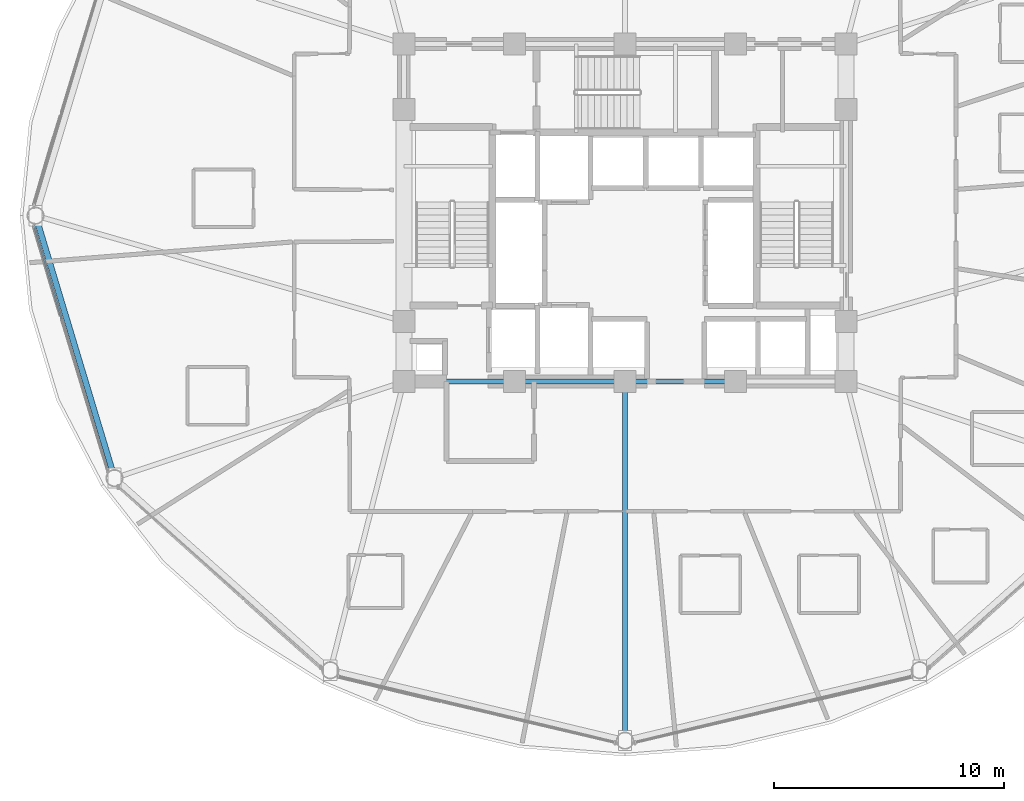
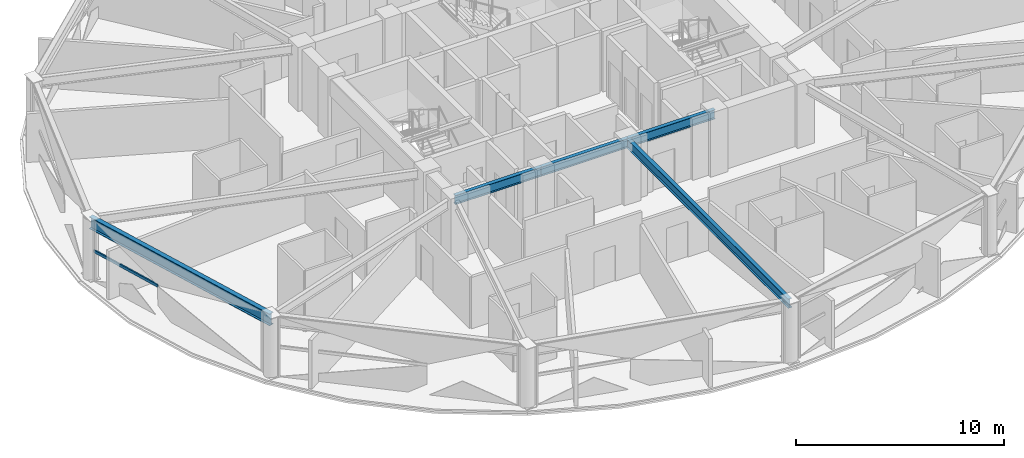
# One storey, part 6 of 32: 5 beams, 1 member, 1 element without a shape of its own.
"""IFC4 building model written with IfcOpenShell, lengths in metres."""

from ifc_helpers import new_model, si_unit, direction, frame, origin, origin_2d, place, context, subcontext, project, spatial, hollow_rectangle, i_section, extrude, material, layer, layer_set, material_profile, profile_set, type_object, element, aggregate, save


model = new_model("IFC4")

# Units and contexts
model_context = context("Model", 3, precision=1e-05, world=origin(), true_north=direction((0.0, 1.0)))
body_context = subcontext(model_context, "Body", "Model", "MODEL_VIEW")
ifc_project = project(units=[si_unit("LENGTHUNIT", "METRE"), si_unit("AREAUNIT", "SQUARE_METRE"), si_unit("VOLUMEUNIT", "CUBIC_METRE"), si_unit("PLANEANGLEUNIT", "RADIAN"), si_unit("MASSUNIT", "GRAM", prefix="KILO")], contexts=[model_context])

# Site, building, storey
site_placement = place(None, origin())
site = spatial("IfcSite", under=ifc_project, at=site_placement, CompositionType="ELEMENT")
building_placement = place(site_placement, origin())
building = spatial("IfcBuilding", under=site, at=building_placement, Name="Vantalir Tower", CompositionType="ELEMENT")
storey_placement = place(building_placement, frame((0.0, 0.0, 100.949951171875)))
storey = spatial("IfcBuildingStorey", under=building, at=storey_placement, Name="L24", CompositionType="ELEMENT", Elevation=100.949951171875)

# Beams
ifc_material_1 = material(Name="Steel S355", Category="steel")
ifc_material_profile_1 = material_profile(ifc_material_1, i_section(OverallWidth=0.2109375, OverallDepth=0.5390625, WebThickness=0.01171875, FlangeThickness=0.018798828125, at=origin_2d()), Name="Steel S355")
ifc_profile_set_1 = profile_set([ifc_material_profile_1], Name="Steel S355")
beam_type_1 = type_object("IfcBeamType", Name="BM-RB-533x210", PredefinedType="BEAM", material=ifc_profile_set_1)
for number, where, z_axis, x_axis, name in (
    (1, (21.89990234375, 17.800048828125, 3.300048828125), (1.0, 0.0, 0.0), (0.0, 1.0, 0.0), "L24 Core Coupling Girder 01"),
    (2, (26.699951171875, 17.800048828125, 3.300048828125), (1.0, 0.0, 0.0), (0.0, 1.0, 0.0), "L24 Core Coupling Girder 02"),
    (3, (31.5, 17.800048828125, 3.300048828125), (1.0, 0.0, 0.0), (0.0, 1.0, 0.0), "L24 Core Coupling Girder 03"),
):
    element("IfcBeam", number, at=place(storey_placement, frame(where, z_axis=z_axis, x_axis=x_axis)), inside=storey, type_object=beam_type_1, Name=name, PredefinedType="BEAM", context=body_context, shape_type="SweptSolid", body=[
        extrude(i_section(OverallWidth=0.2109375, OverallDepth=0.5390625, WebThickness=0.01171875, FlangeThickness=0.018798828125, at=origin_2d()), origin(), (0.0, 0.0, 1.0), 4.800048828125),
    ])
beam_1_placement = place(storey_placement, frame((31.5, 2.2119140625, 3.300048828125), z_axis=(0.0, 1.0, 0.0), x_axis=(-1.0, 0.0, 0.0)))
element("IfcBeam", 4, at=beam_1_placement, inside=storey, type_object=beam_type_1, Name="L24 Radial Floor Beam 10", PredefinedType="BEAM", context=body_context, shape_type="SweptSolid", body=[
    extrude(i_section(OverallWidth=0.2109375, OverallDepth=0.5390625, WebThickness=0.01171875, FlangeThickness=0.018798828125, at=origin_2d()), origin(), (0.0, 0.0, 1.0), 15.588134765625),
])
ifc_material_2 = material(Name="Steel S460", Category="steel")
ifc_material_profile_2 = material_profile(ifc_material_2, i_section(OverallWidth=0.256103515625, OverallDepth=0.693115234375, WebThickness=0.014404296875, FlangeThickness=0.023681640625, at=origin_2d()), Name="Steel S460")
ifc_profile_set_2 = profile_set([ifc_material_profile_2], Name="Steel S460")
beam_type_2 = type_object("IfcBeamType", Name="BM-RG-686x254", PredefinedType="USERDEFINED", material=ifc_profile_set_2)
beam_2_placement = place(storey_placement, frame((5.912109375, 25.0, 3.22314453125), z_axis=(0.288100770592, -0.95760009711, 0.0), x_axis=(0.95760009711, 0.288100770592, 0.0)))
element("IfcBeam", 5, at=beam_2_placement, inside=storey, type_object=beam_type_2, Name="L24 Circumferential Ring Girder 07", ObjectType="GIRDER", PredefinedType="USERDEFINED", context=body_context, shape_type="SweptSolid", body=[
    extrude(i_section(OverallWidth=0.256103515625, OverallDepth=0.693115234375, WebThickness=0.014404296875, FlangeThickness=0.023681640625, at=origin_2d()), origin(), (0.0, 0.0, 1.0), 11.8984375),
])

# Curtain wall, member
ifc_material_3 = material(Name="Champagne-silver PVDF aluminium and double-silver Low-E glass", Category="aluminium")
ifc_layer = layer(ifc_material_3, 0.199951171875)
ifc_layer_set = layer_set([ifc_layer], Name="Champagne-silver PVDF aluminium and double-silver Low-E glass")
curtain_wall_type = type_object("IfcCurtainWallType", Name="CW-DIAMOND-Z2", PredefinedType="USERDEFINED", material=ifc_layer_set)
curtain_wall_placement = place(storey_placement, origin())
curtain_wall = element("IfcCurtainWall", 6, at=curtain_wall_placement, inside=storey, type_object=curtain_wall_type, Name="L24 Quilted Pyramid-Diamond Curtain Wall S07", ObjectType="UNITISED CURTAIN WALL", PredefinedType="USERDEFINED")
ifc_material_4 = material(Name="Champagne-silver PVDF aluminium 6063-T6", Category="aluminium")
ifc_material_profile_3 = material_profile(ifc_material_4, hollow_rectangle(XDim=0.074951171875, YDim=0.159912109375, WallThickness=0.00390625, at=origin_2d()), Name="Champagne-silver PVDF aluminium 6063-T6")
ifc_profile_set_3 = profile_set([ifc_material_profile_3], Name="Champagne-silver PVDF aluminium 6063-T6")
member_type = type_object("IfcMemberType", Name="CWT-160x75", PredefinedType="USERDEFINED", material=ifc_profile_set_3)
member_placement = place(storey_placement, frame((5.84912109375, 24.5791015625, 1.78515625), z_axis=(0.2823197322, -0.959320368183, 0.0), x_axis=(0.959320368183, 0.2823197322, 0.0)))
member = element("IfcMember", 7, at=member_placement, type_object=member_type, Name="CW-L24-S07 Pyramid Fold Ridge Transom", ObjectType="TRANSOM", PredefinedType="USERDEFINED", context=body_context, shape_type="SweptSolid", body=[
    extrude(hollow_rectangle(XDim=0.074951171875, YDim=0.159912109375, WallThickness=0.00390625, at=origin_2d()), origin(), (0.0, 0.0, 1.0), 4.2216796875),
])
aggregate(curtain_wall, [member])

save(model, "model.ifc")
